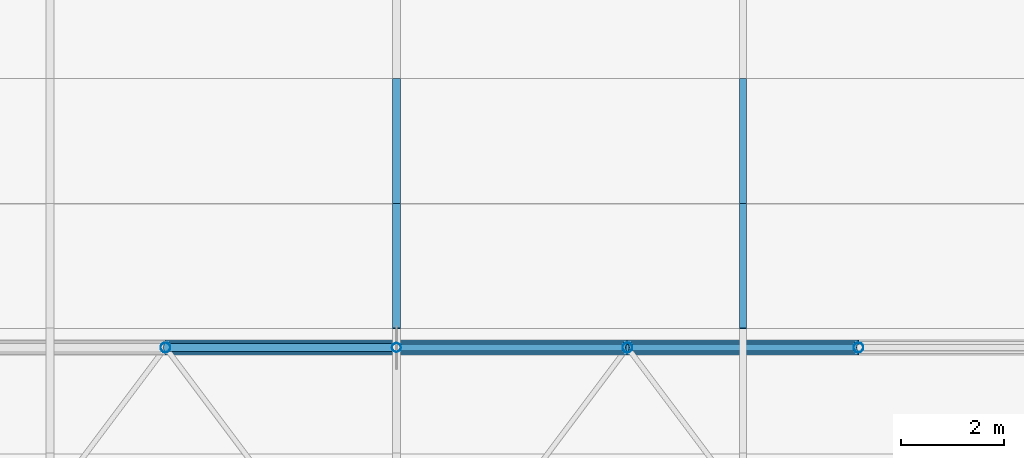
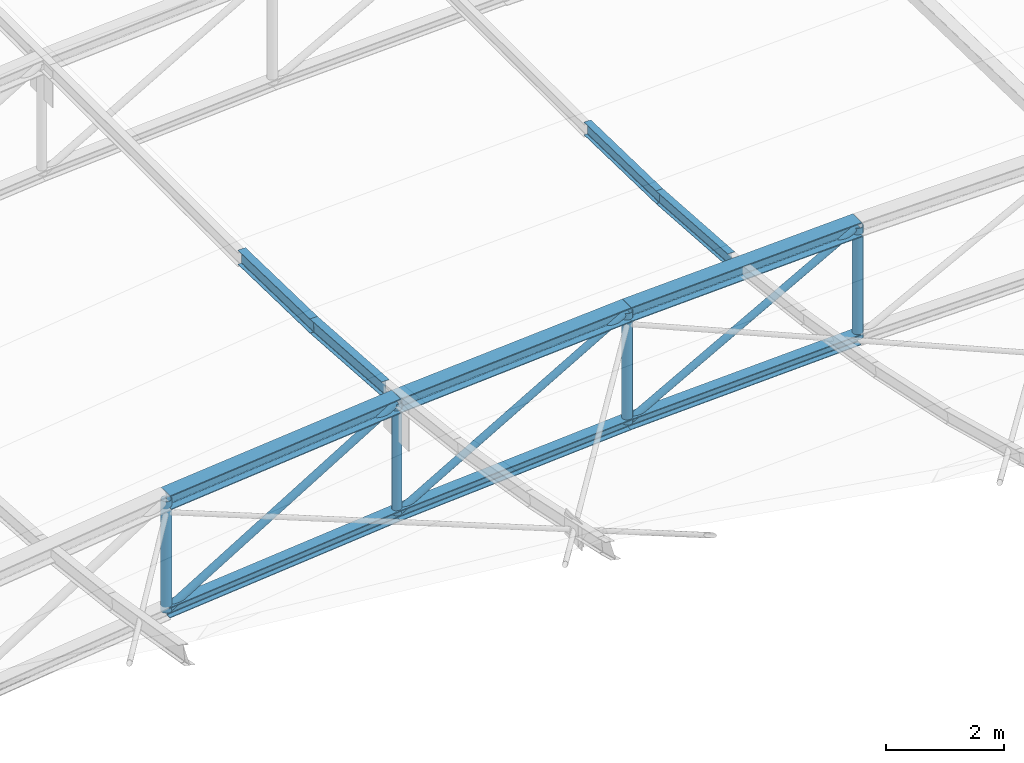
# One storey, part 84 of 262: 17 members.
"""IFC4 building model written with IfcOpenShell, lengths in metres."""

from ifc_helpers import new_model, si_unit, derived_unit, direction, frame, origin, origin_2d, place, context, subcontext, project, spatial, hollow_circle, i_section, extrude, material, material_profile, profile_set, type_object, element, save


model = new_model("IFC4")

# Units and contexts
model_context = context("Model", 3, precision=1e-05, world=origin(), true_north=direction((0.0, 1.0)))
body_context = subcontext(model_context, "Body", "Model", "MODEL_VIEW")
ifc_project = project(units=[si_unit("LENGTHUNIT", "METRE"), si_unit("AREAUNIT", "SQUARE_METRE"), si_unit("VOLUMEUNIT", "CUBIC_METRE"), si_unit("PLANEANGLEUNIT", "RADIAN"), si_unit("MASSUNIT", "GRAM", prefix="KILO"), derived_unit("THERMALTRANSMITTANCEUNIT", [(si_unit("POWERUNIT", "WATT"), 1), (si_unit("LENGTHUNIT", "METRE"), -2), (si_unit("THERMODYNAMICTEMPERATUREUNIT", "KELVIN"), -1)])], contexts=[model_context])

# Site, building, storey
site_placement = place(None, origin())
site = spatial("IfcSite", under=ifc_project, at=site_placement, CompositionType="ELEMENT")
building_placement = place(site_placement, origin())
building = spatial("IfcBuilding", under=site, at=building_placement, Name="Almenara Railside Exhibition Hall", CompositionType="ELEMENT")
storey_placement = place(building_placement, frame((0.0, 0.0, 21.699951171875)))
storey = spatial("IfcBuildingStorey", under=building, at=storey_placement, Name="RF", CompositionType="ELEMENT", Elevation=21.699951171875)

# Members
ifc_material = material(Name="Structural steel S355JR", Category="steel")
ifc_material_profile_1 = material_profile(ifc_material, i_section(OverallWidth=0.300048828125, OverallDepth=0.300048828125, WebThickness=0.010986328125, FlangeThickness=0.01904296875, FilletRadius=0.027099609375, at=origin_2d()), Name="HEB 300")
ifc_profile_set_1 = profile_set([ifc_material_profile_1], Name="Structural steel S355JR")
member_type_1 = type_object("IfcMemberType", Name="Arched Inner Top Chord HEB 300 S355JR", PredefinedType="CHORD", material=ifc_profile_set_1)
member_1_placement = place(storey_placement, frame((21.0, 72.0, 1.386962890625), z_axis=(0.995512933083, 0.0, 0.094625578275), x_axis=(0.0, 1.0, 0.0)))
element("IfcMember", 1, at=member_1_placement, inside=storey, type_object=member_type_1, Name="MEM-TC-V1-02-02", PredefinedType="CHORD", context=body_context, shape_type="SweptSolid", body=[
    extrude(i_section(OverallWidth=0.300048828125, OverallDepth=0.300048828125, WebThickness=0.010986328125, FlangeThickness=0.01904296875, FilletRadius=0.027099609375, at=origin_2d()), origin(), (0.0, 0.0, 1.0), 4.520263671875),
])
member_2_placement = place(storey_placement, frame((25.5, 72.0, 1.814697265625), z_axis=(0.997701025897, 0.0, 0.067769188608), x_axis=(0.0, 1.0, 0.0)))
element("IfcMember", 2, at=member_2_placement, inside=storey, type_object=member_type_1, Name="MEM-TC-V1-02-03", PredefinedType="CHORD", context=body_context, shape_type="SweptSolid", body=[
    extrude(i_section(OverallWidth=0.300048828125, OverallDepth=0.300048828125, WebThickness=0.010986328125, FlangeThickness=0.01904296875, FilletRadius=0.027099609375, at=origin_2d()), origin(), (0.0, 0.0, 1.0), 4.51025390625),
])
member_3_placement = place(storey_placement, frame((30.0, 72.0, 2.120361328125), z_axis=(0.99917098071, 0.0, 0.04071057978), x_axis=(0.0, 1.0, 0.0)))
element("IfcMember", 3, at=member_3_placement, inside=storey, type_object=member_type_1, Name="MEM-TC-V1-02-04", PredefinedType="CHORD", context=body_context, shape_type="SweptSolid", body=[
    extrude(i_section(OverallWidth=0.300048828125, OverallDepth=0.300048828125, WebThickness=0.010986328125, FlangeThickness=0.01904296875, FilletRadius=0.027099609375, at=origin_2d()), origin(), (0.0, 0.0, 1.0), 4.503662109375),
])
ifc_material_profile_2 = material_profile(ifc_material, i_section(OverallWidth=0.14990234375, OverallDepth=0.300048828125, WebThickness=0.007080078125, FlangeThickness=0.0107421875, FilletRadius=0.014892578125, at=origin_2d()), Name="IPE 300")
ifc_profile_set_2 = profile_set([ifc_material_profile_2], Name="Structural steel S355JR")
member_type_2 = type_object("IfcMemberType", Name="East Hall Ridge Purlin IPE 300 S355JR", PredefinedType="PURLIN", material=ifc_profile_set_2)
member_4_placement = place(storey_placement, frame((25.5, 72.366943359375, 1.865234375), z_axis=(0.0, 0.997521719737, -0.070359211571), x_axis=(-1.0, 0.0, 0.0)))
element("IfcMember", 4, at=member_4_placement, inside=storey, type_object=member_type_2, Name="MEM-PR-V1-PR-IPE300-02-10", PredefinedType="PURLIN", context=body_context, shape_type="SweptSolid", body=[
    extrude(i_section(OverallWidth=0.14990234375, OverallDepth=0.300048828125, WebThickness=0.007080078125, FlangeThickness=0.0107421875, FilletRadius=0.014892578125, at=origin_2d()), origin(), (0.0, 0.0, 1.0), 2.44287109375),
])
member_5_placement = place(storey_placement, frame((25.5, 74.8037109375, 1.694091796875), z_axis=(0.0, 0.999725289903, -0.023438104182), x_axis=(-1.0, 0.0, 0.0)))
element("IfcMember", 5, at=member_5_placement, inside=storey, type_object=member_type_2, Name="MEM-PR-V1-PR-IPE300-02-11", PredefinedType="PURLIN", context=body_context, shape_type="SweptSolid", body=[
    extrude(i_section(OverallWidth=0.14990234375, OverallDepth=0.300048828125, WebThickness=0.007080078125, FlangeThickness=0.0107421875, FilletRadius=0.014892578125, at=origin_2d()), origin(), (0.0, 0.0, 1.0), 2.4375),
])
ifc_material_profile_3 = material_profile(ifc_material, i_section(OverallWidth=0.135009765625, OverallDepth=0.27001953125, WebThickness=0.006591796875, FlangeThickness=0.01025390625, FilletRadius=0.014892578125, at=origin_2d()), Name="IPE 270")
ifc_profile_set_3 = profile_set([ifc_material_profile_3], Name="Structural steel S355JR")
member_type_3 = type_object("IfcMemberType", Name="East Hall Standard Purlin IPE 270 S355JR", PredefinedType="PURLIN", material=ifc_profile_set_3)
member_6_placement = place(storey_placement, frame((32.25, 72.366943359375, 2.157958984375), z_axis=(0.0, 0.997528729247, -0.070259763216), x_axis=(-1.0, 0.0, 0.0)))
element("IfcMember", 6, at=member_6_placement, inside=storey, type_object=member_type_3, Name="MEM-PR-V1-PR-IPE270-03-10", PredefinedType="PURLIN", context=body_context, shape_type="SweptSolid", body=[
    extrude(i_section(OverallWidth=0.135009765625, OverallDepth=0.27001953125, WebThickness=0.006591796875, FlangeThickness=0.01025390625, FilletRadius=0.014892578125, at=origin_2d()), origin(), (0.0, 0.0, 1.0), 2.44287109375),
])
member_7_placement = place(storey_placement, frame((32.25, 74.8037109375, 1.987060546875), z_axis=(0.0, 0.999725289903, -0.023438104182), x_axis=(-1.0, 0.0, 0.0)))
element("IfcMember", 7, at=member_7_placement, inside=storey, type_object=member_type_3, Name="MEM-PR-V1-PR-IPE270-03-11", PredefinedType="PURLIN", context=body_context, shape_type="SweptSolid", body=[
    extrude(i_section(OverallWidth=0.135009765625, OverallDepth=0.27001953125, WebThickness=0.006591796875, FlangeThickness=0.01025390625, FilletRadius=0.014892578125, at=origin_2d()), origin(), (0.0, 0.0, 1.0), 2.4375),
])
ifc_material_profile_4 = material_profile(ifc_material, i_section(OverallWidth=0.219970703125, OverallDepth=0.219970703125, WebThickness=0.009521484375, FlangeThickness=0.01611328125, FilletRadius=0.01806640625, at=origin_2d()), Name="HEB 220")
ifc_profile_set_4 = profile_set([ifc_material_profile_4], Name="Structural steel S355JR")
member_type_4 = type_object("IfcMemberType", Name="Scroll Tie Chord HEB 220 S355JR", PredefinedType="CHORD", material=ifc_profile_set_4)
member_8_placement = place(storey_placement, frame((21.0, 72.0, -0.9130859375), z_axis=(0.995507843872, 0.0, 0.094679104292), x_axis=(0.0, 1.0, 0.0)))
element("IfcMember", 8, at=member_8_placement, inside=storey, type_object=member_type_4, Name="MEM-BC-V1-02-02", PredefinedType="CHORD", context=body_context, shape_type="SweptSolid", body=[
    extrude(i_section(OverallWidth=0.219970703125, OverallDepth=0.219970703125, WebThickness=0.009521484375, FlangeThickness=0.01611328125, FilletRadius=0.01806640625, at=origin_2d()), origin(), (0.0, 0.0, 1.0), 4.520263671875),
])
member_9_placement = place(storey_placement, frame((25.5, 72.0, -0.485107421875), z_axis=(0.997704684283, 0.0, 0.067715308162), x_axis=(0.0, 1.0, 0.0)))
element("IfcMember", 9, at=member_9_placement, inside=storey, type_object=member_type_4, Name="MEM-BC-V1-02-03", PredefinedType="CHORD", context=body_context, shape_type="SweptSolid", body=[
    extrude(i_section(OverallWidth=0.219970703125, OverallDepth=0.219970703125, WebThickness=0.009521484375, FlangeThickness=0.01611328125, FilletRadius=0.01806640625, at=origin_2d()), origin(), (0.0, 0.0, 1.0), 4.51025390625),
])
member_10_placement = place(storey_placement, frame((30.0, 72.0, -0.1796875), z_axis=(0.99917098071, 0.0, 0.04071057978), x_axis=(0.0, 1.0, 0.0)))
element("IfcMember", 10, at=member_10_placement, inside=storey, type_object=member_type_4, Name="MEM-BC-V1-02-04", PredefinedType="CHORD", context=body_context, shape_type="SweptSolid", body=[
    extrude(i_section(OverallWidth=0.219970703125, OverallDepth=0.219970703125, WebThickness=0.009521484375, FlangeThickness=0.01611328125, FilletRadius=0.01806640625, at=origin_2d()), origin(), (0.0, 0.0, 1.0), 4.503662109375),
])
ifc_material_profile_5 = material_profile(ifc_material, hollow_circle(Radius=0.06982421875, WallThickness=0.0048828125, at=origin_2d()), Name="CHS 139.7x5")
ifc_profile_set_5 = profile_set([ifc_material_profile_5], Name="Structural steel S355JR")
member_type_5 = type_object("IfcMemberType", Name="Truss Inner Diagonal CHS 139.7x5 S355JR", PredefinedType="BRACE", material=ifc_profile_set_5)
member_11_placement = place(storey_placement, frame((25.5, 72.0, -0.485107421875), z_axis=(0.865409140876, 0.0, 0.501065882782), x_axis=(0.0, 1.0, 0.0)))
element("IfcMember", 11, at=member_11_placement, inside=storey, type_object=member_type_5, Name="MEM-TD-V1-02-03", PredefinedType="BRACE", context=body_context, shape_type="SweptSolid", body=[
    extrude(hollow_circle(Radius=0.06982421875, WallThickness=0.0048828125, at=origin_2d()), origin(), (0.0, 0.0, 1.0), 5.199951171875),
])
member_12_placement = place(storey_placement, frame((30.0, 72.0, -0.1796875), z_axis=(0.875525025835, 0.0, 0.483172773589), x_axis=(0.0, 1.0, 0.0)))
element("IfcMember", 12, at=member_12_placement, inside=storey, type_object=member_type_5, Name="MEM-TD-V1-02-04", PredefinedType="BRACE", context=body_context, shape_type="SweptSolid", body=[
    extrude(hollow_circle(Radius=0.06982421875, WallThickness=0.0048828125, at=origin_2d()), origin(), (0.0, 0.0, 1.0), 5.139892578125),
])
ifc_material_profile_6 = material_profile(ifc_material, hollow_circle(Radius=0.076171875, WallThickness=0.0048828125, at=origin_2d()), Name="CHS 152.4x5")
ifc_profile_set_6 = profile_set([ifc_material_profile_6], Name="Structural steel S355JR")
member_type_6 = type_object("IfcMemberType", Name="Truss Mid Diagonal CHS 152.4x5 S355JR", PredefinedType="BRACE", material=ifc_profile_set_6)
member_13_placement = place(storey_placement, frame((21.0, 72.0, -0.9130859375), z_axis=(0.855154829777, 0.0, 0.518372662386), x_axis=(0.0, 1.0, 0.0)))
element("IfcMember", 13, at=member_13_placement, inside=storey, type_object=member_type_6, Name="MEM-TD-V1-02-02", PredefinedType="BRACE", context=body_context, shape_type="SweptSolid", body=[
    extrude(hollow_circle(Radius=0.076171875, WallThickness=0.0048828125, at=origin_2d()), origin(), (0.0, 0.0, 1.0), 5.26220703125),
])
ifc_material_profile_7 = material_profile(ifc_material, hollow_circle(Radius=0.0888671875, WallThickness=0.006103515625, at=origin_2d()), Name="CHS 177.8x6")
ifc_profile_set_7 = profile_set([ifc_material_profile_7], Name="Structural steel S355JR")
member_type_7 = type_object("IfcMemberType", Name="Truss Quarter Vertical Strut CHS 177.8x6 S355JR", PredefinedType="BRACE", material=ifc_profile_set_7)
member_14_placement = place(storey_placement, frame((25.5, 72.0, -0.485107421875), z_axis=(0.0, 0.0, 1.0), x_axis=(1.0, 0.0, 0.0)))
element("IfcMember", 14, at=member_14_placement, inside=storey, type_object=member_type_7, Name="MEM-TV-V1-02-03", PredefinedType="BRACE", context=body_context, shape_type="SweptSolid", body=[
    extrude(hollow_circle(Radius=0.0888671875, WallThickness=0.006103515625, at=origin_2d()), origin(), (0.0, 0.0, 1.0), 2.2998046875),
])
ifc_material_profile_8 = material_profile(ifc_material, hollow_circle(Radius=0.096923828125, WallThickness=0.00634765625, at=origin_2d()), Name="CHS 193.7x6.3")
ifc_profile_set_8 = profile_set([ifc_material_profile_8], Name="Structural steel S355JR")
member_type_8 = type_object("IfcMemberType", Name="Truss Standard Vertical Strut CHS 193.7x6.3 S355JR", PredefinedType="BRACE", material=ifc_profile_set_8)
for number, where, z_axis, x_axis, name in (
    (15, (21.0, 72.0, -0.9130859375), (0.0, 0.0, 1.0), (1.0, 0.0, 0.0), "MEM-TV-V1-02-02"),
    (16, (30.0, 72.0, -0.1796875), (0.0, 0.0, 1.0), (1.0, 0.0, 0.0), "MEM-TV-V1-02-04"),
    (17, (34.5, 72.0, 0.003662109375), (0.0, 0.0, 1.0), (1.0, 0.0, 0.0), "MEM-TV-V1-02-05"),
):
    element("IfcMember", number, at=place(storey_placement, frame(where, z_axis=z_axis, x_axis=x_axis)), inside=storey, type_object=member_type_8, Name=name, PredefinedType="BRACE", context=body_context, shape_type="SweptSolid", body=[
        extrude(hollow_circle(Radius=0.096923828125, WallThickness=0.00634765625, at=origin_2d()), origin(), (0.0, 0.0, 1.0), 2.300048828125),
    ])

save(model, "model.ifc")
